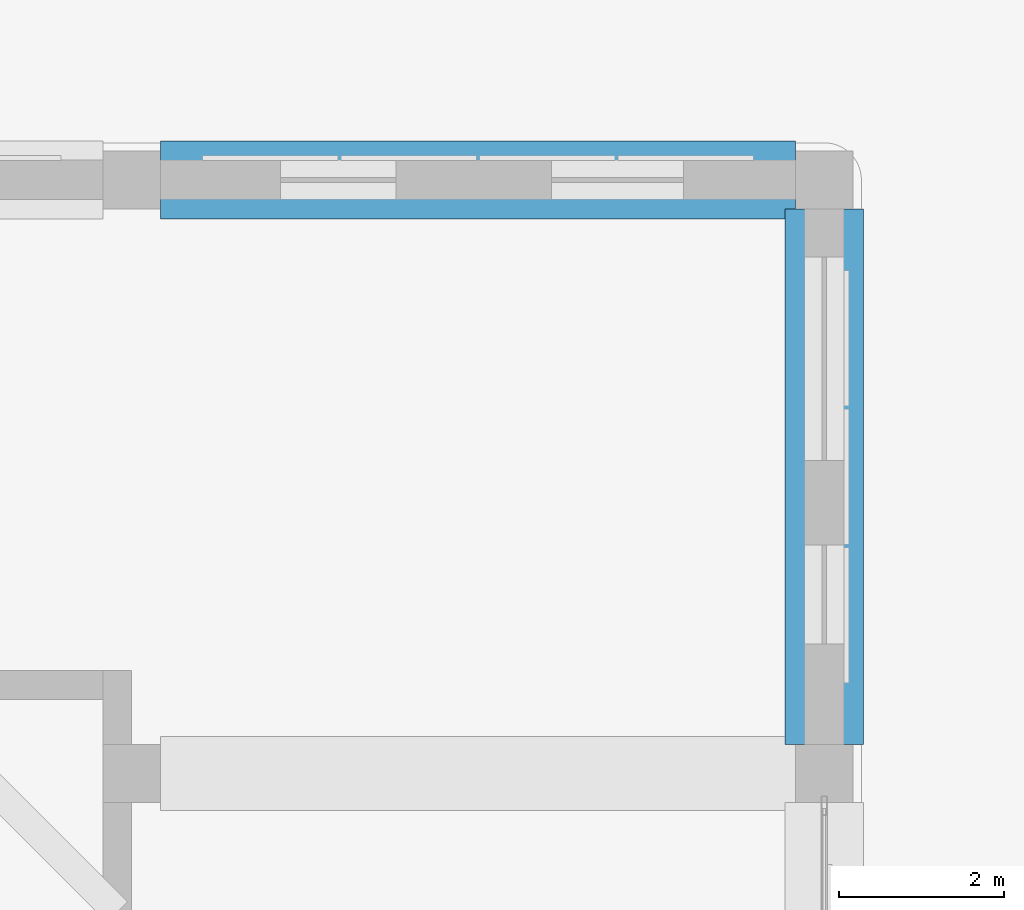
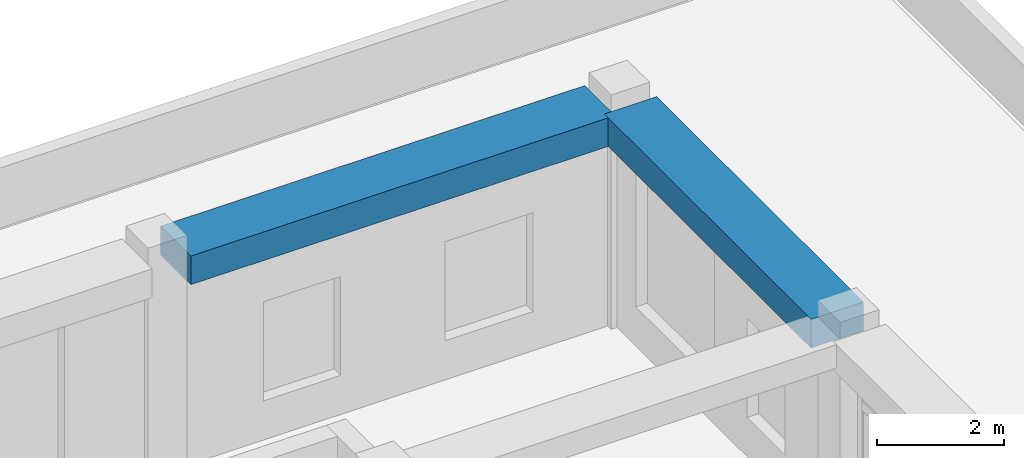
# One storey, part 37 of 100: 2 beams.
"""IFC4 building model written with IfcOpenShell, lengths in metres."""

import ifcopenshell
import ifcopenshell.guid

model = None  # the IFC model being written
_history = None  # IfcOwnerHistory: only IFC2X3 demands one
_inside = {}  # id of a spatial element -> (the spatial element, [elements in it])
_under = {}  # id of a project, library or spatial element -> (it, [spatial elements below it])
_declared = {}  # id of a project -> (the project, [libraries it declares])
_typed = {}  # id of a type object -> (the type object, [elements of that type])
_made_of = {}  # id of a material, layer set ... -> (it, [elements and type objects made of it])


def new_model(schema):
    """Start an empty IFC model of exactly this schema.

    Asked for "IFC4X3", IfcOpenShell would pick the latest addendum, in which some entities
    have other attributes; the version numbers below select the first issue.
    IFC2X3 requires an IfcOwnerHistory on every rooted entity: one is made here for all.
    """
    global model, _history
    if schema == "IFC4X3":
        model = ifcopenshell.file(schema_version=(4, 3, 0, 0))
    else:
        model = ifcopenshell.file(schema=schema)
    _inside.clear()
    _under.clear()
    _declared.clear()
    _typed.clear()
    _made_of.clear()
    _history = None
    if model.schema == "IFC2X3":
        org = make("IfcOrganization", Name="unknown")
        user = make(
            "IfcPersonAndOrganization",
            ThePerson=make("IfcPerson", FamilyName="unknown"),
            TheOrganization=org,
        )
        app = make(
            "IfcApplication",
            ApplicationDeveloper=org,
            Version="unknown",
            ApplicationFullName="unknown",
            ApplicationIdentifier="unknown",
        )
        _history = make(
            "IfcOwnerHistory",
            OwningUser=user,
            OwningApplication=app,
            ChangeAction="ADDED",
            CreationDate=0,
        )
    return model


def make(cls, **values):
    """One entity of the class cls with the attributes given. An attribute that is None is left unset."""
    return model.create_entity(
        cls, **{name: value for name, value in values.items() if value is not None}
    )


def rooted(cls, **values):
    """An entity with a GlobalId (a new one), such as an element, a storey or a relation."""
    return make(cls, GlobalId=ifcopenshell.guid.new(), OwnerHistory=_history, **values)


def si_unit(unit_type, name, prefix=None):
    """IfcSIUnit, for example si_unit("LENGTHUNIT", "METRE", prefix="MILLI")."""
    return make("IfcSIUnit", UnitType=unit_type, Prefix=prefix, Name=name)


def derived_unit(unit_type, elements):
    """IfcDerivedUnit: a product of units, each with its exponent."""
    return make(
        "IfcDerivedUnit",
        Elements=[
            make("IfcDerivedUnitElement", Unit=unit, Exponent=power)
            for unit, power in elements
        ],
        UnitType=unit_type,
    )


def assignment(units):
    """IfcUnitAssignment: the units of a project."""
    return None if units is None else make("IfcUnitAssignment", Units=units)


def point(xyz):
    """IfcCartesianPoint."""
    return None if xyz is None else make("IfcCartesianPoint", Coordinates=xyz)


def direction(xyz):
    """IfcDirection."""
    return None if xyz is None else make("IfcDirection", DirectionRatios=xyz)


def frame(location, z_axis=None, x_axis=None):
    """IfcAxis2Placement3D, a coordinate frame: its origin and axes. An axis left out is left unset."""
    return make(
        "IfcAxis2Placement3D",
        Location=point(location),
        Axis=direction(z_axis),
        RefDirection=direction(x_axis),
    )


def frame_2d(location, x_axis=None):
    """IfcAxis2Placement2D, a coordinate frame in the plane: its origin and x axis."""
    return make(
        "IfcAxis2Placement2D", Location=point(location), RefDirection=direction(x_axis)
    )


def origin():
    """The frame at (0, 0, 0) with its axes left unset."""
    return frame((0.0, 0.0, 0.0))


def origin_2d():
    """The frame at (0, 0) in the plane with its x axis left unset."""
    return frame_2d((0.0, 0.0))


def place(relative_to, where):
    """IfcLocalPlacement: puts the frame where relative to a parent placement (None: the world)."""
    return make(
        "IfcLocalPlacement", PlacementRelTo=relative_to, RelativePlacement=where
    )


def context(
    kind, dimensions, precision=None, world=None, true_north=None, identifier=None
):
    """IfcGeometricRepresentationContext, for example the 3D "Model" context."""
    return make(
        "IfcGeometricRepresentationContext",
        ContextIdentifier=identifier,
        ContextType=kind,
        CoordinateSpaceDimension=dimensions,
        Precision=precision,
        WorldCoordinateSystem=world,
        TrueNorth=true_north,
    )


def subcontext(parent, identifier, kind, view, scale=None):
    """IfcGeometricRepresentationSubContext, for example "Body" below "Model"."""
    return make(
        "IfcGeometricRepresentationSubContext",
        ContextIdentifier=identifier,
        ContextType=kind,
        ParentContext=parent,
        TargetScale=scale,
        TargetView=view,
    )


def project(units=None, contexts=None):
    """IfcProject with its units and contexts."""
    return rooted(
        "IfcProject",
        Name="project",
        RepresentationContexts=contexts,
        UnitsInContext=assignment(units),
    )


def spatial(cls, under=None, at=None, **own):
    """A site, building, storey or space (cls), placed at a placement, below another one or the project."""
    s = rooted(cls, ObjectPlacement=at, **own)
    if under is not None:
        _under.setdefault(under.id(), (under, []))[1].append(s)
    return s


def profile(cls, at=None, kind="AREA", **sizes):
    """A parametric profile (cls). Its sizes go by their IFC names, for example OverallWidth=200.0."""
    return make(cls, ProfileType=kind, Position=at, **sizes)


def rectangle(**sizes):
    """IfcRectangleProfileDef."""
    return profile("IfcRectangleProfileDef", **sizes)


def extrude(swept, where, along, depth):
    """IfcExtrudedAreaSolid: the profile swept, set in the frame where, extruded along a direction by depth."""
    return make(
        "IfcExtrudedAreaSolid",
        SweptArea=swept,
        Position=where,
        ExtrudedDirection=direction(along),
        Depth=depth,
    )


def shape(context_of_items, identifier, shape_type, items):
    """IfcShapeRepresentation: the items that make up one representation, for example the "Body"."""
    return make(
        "IfcShapeRepresentation",
        ContextOfItems=context_of_items,
        RepresentationIdentifier=identifier,
        RepresentationType=shape_type,
        Items=items,
    )


def material(Name=None, Category=None):
    """IfcMaterial."""
    return make("IfcMaterial", Name=Name, Category=Category)


def material_profile(
    of_material, cross_section, Name=None, Category=None, Priority=None
):
    """IfcMaterialProfile: a cross section and its material."""
    return make(
        "IfcMaterialProfile",
        Name=Name,
        Material=of_material,
        Profile=cross_section,
        Priority=Priority,
        Category=Category,
    )


def profile_set(profiles, Name=None, composite=None):
    """IfcMaterialProfileSet."""
    return make(
        "IfcMaterialProfileSet",
        Name=Name,
        MaterialProfiles=profiles,
        CompositeProfile=composite,
    )


def made_of(thing, what):
    """Note that an element or type object is made of a material, layer set ...; save() writes the relation."""
    if what is not None:
        _made_of.setdefault(what.id(), (what, []))[1].append(thing)
    return thing


def type_object(cls, material=None, **own):
    """A type object (cls), such as IfcWallType, which elements share."""
    return made_of(rooted(cls, **own), material)


def element(
    cls,
    number,
    at=None,
    inside=None,
    cuts=None,
    type_object=None,
    material=None,
    context=None,
    identifier="Body",
    shape_type=None,
    held_by="IfcProductDefinitionShape",
    body=None,
    shapes=None,
    **own,
):
    """One element of the class cls, such as IfcWall. Its Tag is "e" and its number.

    at: its placement. inside: the storey or other place that contains it. cuts: it is an
    opening in that element (IfcRelVoidsElement). A single representation is given by context,
    identifier, shape_type and body (its items); several are given by shapes. held_by: the class
    of the entity that holds the representations. save() writes the other relations.
    """
    e = rooted(cls, Tag="e%d" % number, ObjectPlacement=at, **own)
    if body is not None:
        shapes = [shape(context, identifier, shape_type, body)]
    if shapes is not None:
        e.Representation = make(held_by, Representations=shapes)
    if inside is not None:
        _inside.setdefault(inside.id(), (inside, []))[1].append(e)
    if cuts is not None:
        rooted(
            "IfcRelVoidsElement", RelatingBuildingElement=cuts, RelatedOpeningElement=e
        )
    if type_object is not None:
        _typed.setdefault(type_object.id(), (type_object, []))[1].append(e)
    return made_of(e, material)


def aggregate(whole, parts):
    """IfcRelAggregates: a whole, such as a stair, and the parts it consists of."""
    return rooted("IfcRelAggregates", RelatingObject=whole, RelatedObjects=parts)


def save(model, path):
    """Write the relations noted so far, then the file.

    IfcRelAggregates (storeys below a building ...), IfcRelContainedInSpatialStructure (elements
    in a storey), IfcRelDefinesByType, IfcRelAssociatesMaterial and IfcRelDeclares: one each for
    every whole, place, type object, material and project.
    """
    for whole, parts in _under.values():
        aggregate(whole, parts)
    for where, things in _inside.values():
        rooted(
            "IfcRelContainedInSpatialStructure",
            RelatedElements=things,
            RelatingStructure=where,
        )
    for kind, things in _typed.values():
        rooted("IfcRelDefinesByType", RelatedObjects=things, RelatingType=kind)
    for what, things in _made_of.values():
        rooted("IfcRelAssociatesMaterial", RelatedObjects=things, RelatingMaterial=what)
    for by, libraries in _declared.values():
        rooted("IfcRelDeclares", RelatingContext=by, RelatedDefinitions=libraries)
    model.write(path)


model = new_model("IFC4")

# Units and contexts
model_context = context("Model", 3, precision=1e-05, world=origin(), true_north=direction((0.0, 1.0)))
body_context = subcontext(model_context, "Body", "Model", "MODEL_VIEW")
ifc_project = project(units=[si_unit("LENGTHUNIT", "METRE"), si_unit("AREAUNIT", "SQUARE_METRE"), si_unit("VOLUMEUNIT", "CUBIC_METRE"), si_unit("PLANEANGLEUNIT", "RADIAN"), si_unit("MASSUNIT", "GRAM", prefix="KILO"), derived_unit("THERMALTRANSMITTANCEUNIT", [(si_unit("POWERUNIT", "WATT"), 1), (si_unit("LENGTHUNIT", "METRE"), -2), (si_unit("THERMODYNAMICTEMPERATUREUNIT", "KELVIN"), -1)])], contexts=[model_context])

# Site, building, storey
site_placement = place(None, origin())
site = spatial("IfcSite", under=ifc_project, at=site_placement, CompositionType="ELEMENT")
building_placement = place(site_placement, origin())
building = spatial("IfcBuilding", under=site, at=building_placement, Name="Veybourne Emporium", CompositionType="ELEMENT")
storey_placement = place(building_placement, frame((0.0, 0.0, 14.39990234375)))
storey = spatial("IfcBuildingStorey", under=building, at=storey_placement, Name="L03", CompositionType="ELEMENT", Elevation=14.39990234375)

# Beams
ifc_material = material(Name="Concrete C32/40", Category="concrete")
ifc_material_profile = material_profile(ifc_material, rectangle(XDim=0.949951171875, YDim=0.550048828125, at=origin_2d()), Name="RC 950x550")
ifc_profile_set = profile_set([ifc_material_profile], Name="Concrete C32/40")
beam_type = type_object("IfcBeamType", Name="RCBeam_EB-01", PredefinedType="SPANDREL", material=ifc_profile_set)
beam_1_placement = place(storey_placement, frame((84.35009765625, 100.800048828125, 3.905029296875), z_axis=(1.0, 0.0, 0.0), x_axis=(0.0, 1.0, 0.0)))
element("IfcBeam", 1, at=beam_1_placement, inside=storey, type_object=beam_type, Name="L03 X-grid beam EB-01 (10,14)", PredefinedType="SPANDREL", context=body_context, shape_type="SweptSolid", body=[
    extrude(rectangle(XDim=0.949951171875, YDim=0.550048828125, at=origin_2d()), origin(), (0.0, 0.0, 1.0), 7.699951171875),
])
beam_2_placement = place(storey_placement, frame((92.39990234375, 93.949951171875, 3.905029296875), z_axis=(0.0, 1.0, 0.0), x_axis=(-1.0, 0.0, 0.0)))
element("IfcBeam", 2, at=beam_2_placement, inside=storey, type_object=beam_type, Name="L03 Y-grid beam EB-01 (11,13)", PredefinedType="SPANDREL", context=body_context, shape_type="SweptSolid", body=[
    extrude(rectangle(XDim=0.949951171875, YDim=0.550048828125, at=origin_2d()), origin(), (0.0, 0.0, 1.0), 6.5),
])

save(model, "model.ifc")
